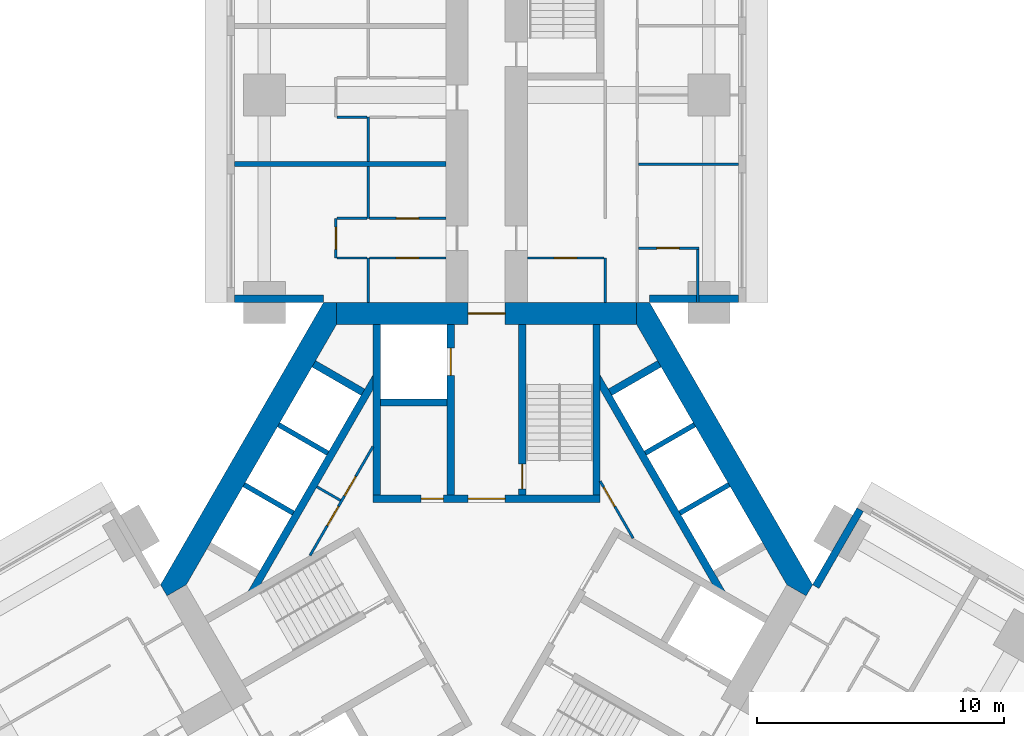
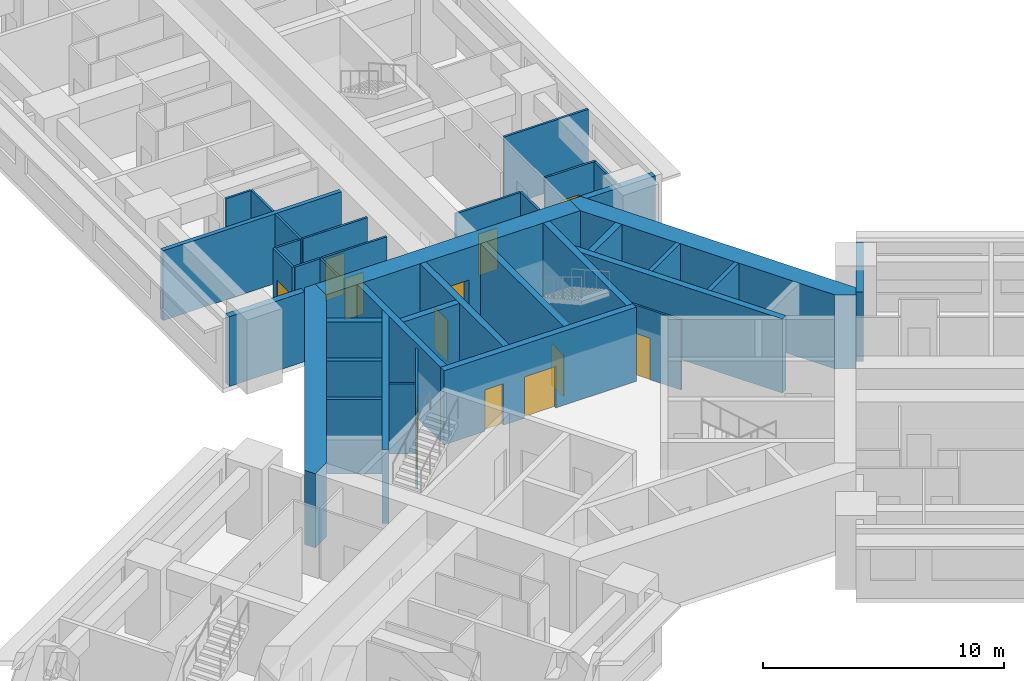
# One storey, part 8 of 17: 38 walls, 13 doors, 13 openings.
"""IFC4 building model written with IfcOpenShell, lengths in metres."""

from ifc_helpers import new_model, si_unit, direction, frame, frame_2d, origin, place, context, subcontext, project, spatial, polyline, rectangle, outline, extrude, material, layer, layer_set, type_object, element, fill, save


model = new_model("IFC4")

# Units and contexts
model_context = context("Model", 3, precision=1e-05, world=origin(), true_north=direction((0.0, 1.0)))
body_context = subcontext(model_context, "Body", "Model", "MODEL_VIEW")
ifc_project = project(units=[si_unit("LENGTHUNIT", "METRE"), si_unit("AREAUNIT", "SQUARE_METRE"), si_unit("VOLUMEUNIT", "CUBIC_METRE"), si_unit("PLANEANGLEUNIT", "RADIAN"), si_unit("MASSUNIT", "GRAM", prefix="KILO")], contexts=[model_context])

# Site, building, storey
site_placement = place(None, origin())
site = spatial("IfcSite", under=ifc_project, at=site_placement, CompositionType="ELEMENT")
building_placement = place(site_placement, origin())
building = spatial("IfcBuilding", under=site, at=building_placement, Name="Impinga Residences", CompositionType="ELEMENT")
storey_placement = place(building_placement, frame((0.0, 0.0, 33.5)))
storey = spatial("IfcBuildingStorey", under=building, at=storey_placement, Name="L07", CompositionType="ELEMENT", Elevation=33.5)

# Wall, opening, door
ifc_material_1 = material(Name="Concrete blockwork", Category="masonry")
ifc_layer_1 = layer(ifc_material_1, 0.10009765625)
ifc_layer_set_1 = layer_set([ifc_layer_1], Name="CP1 core room partition, blockwork 100")
wall_type_1 = type_object("IfcWallType", Name="CP1 core room partition, blockwork 100", PredefinedType="PARTITIONING", material=ifc_layer_set_1)
wall_1_placement = place(storey_placement, frame((4.60009765625, 4.195556640625, 0.0), z_axis=(0.0, 0.0, 1.0), x_axis=(0.500018294232, -0.866014841347, 0.0)))
wall_1 = element("IfcWall", 1, at=wall_1_placement, inside=storey, type_object=wall_type_1, Name="Core room partition, blockwork L07:CORE:mid:FP", PredefinedType="PARTITIONING", context=body_context, shape_type="SweptSolid", body=[
    extrude(rectangle(XDim=2.6669921875, YDim=0.10009765625, at=frame_2d((1.33349609375, 0.0))), origin(), (0.0, 0.0, 1.0), 3.530029296875),
])
opening_1_placement = place(wall_1_placement, frame((0.283447265625, 0.0, 0.0)))
opening_1 = element("IfcOpeningElement", 2, at=opening_1_placement, cuts=wall_1, Name="Opening D6", PredefinedType="OPENING", context=body_context, shape_type="SweptSolid", body=[
    extrude(rectangle(XDim=0.89990234375, YDim=2.10009765625, at=frame_2d((0.449951171875, 1.050048828125))), frame((0.0, 0.06005859375, 0.0), z_axis=(0.0, -1.0, 0.0), x_axis=(1.0, 0.0, 0.0)), (0.0, 0.0, 1.0), 0.1201171875),
])
ifc_material_2 = material(Name="Timber door set", Category="wood")
door_type_1 = type_object("IfcDoorType", Name="D6 riser and store door 900x2100", OperationType="SINGLE_SWING_LEFT", PredefinedType="DOOR", material=ifc_material_2)
door_1_placement = place(opening_1_placement, origin())
door_1 = element("IfcDoor", 3, at=door_1_placement, inside=storey, type_object=door_type_1, Name="Refuse and recycling room door", OperationType="SINGLE_SWING_LEFT", OverallHeight=2.10009765625, OverallWidth=0.89990234375, PredefinedType="DOOR", context=body_context, shape_type="SweptSolid", body=[
    extrude(rectangle(XDim=0.89990234375, YDim=2.10009765625, at=frame_2d((0.449951171875, 1.050048828125))), frame((0.0, 0.02490234375, 0.0), z_axis=(0.0, -1.0, 0.0), x_axis=(1.0, 0.0, 0.0)), (0.0, 0.0, 1.0), 0.050048828125),
])
fill(opening_1, door_1)

# Wall, openings, doors
wall_2_placement = place(storey_placement, frame((-7.14599609375, 1.185791015625, 0.0), z_axis=(0.0, 0.0, 1.0), x_axis=(0.499975622669, 0.866039477586, 0.0)))
wall_2 = element("IfcWall", 4, at=wall_2_placement, inside=storey, type_object=wall_type_1, Name="Core room partition, blockwork L07:CORE:high:FP", PredefinedType="PARTITIONING", context=body_context, shape_type="SweptSolid", body=[
    extrude(rectangle(XDim=5.092041015625, YDim=0.10009765625, at=frame_2d((2.5458984375, 0.0))), origin(), (0.0, 0.0, 1.0), 3.530029296875),
])
opening_2_placement = place(wall_2_placement, frame((1.39599609375, 0.0, 0.0)))
opening_2 = element("IfcOpeningElement", 5, at=opening_2_placement, cuts=wall_2, Name="Opening D6", PredefinedType="OPENING", context=body_context, shape_type="SweptSolid", body=[
    extrude(rectangle(XDim=0.89990234375, YDim=2.10009765625, at=frame_2d((0.449951171875, 1.050048828125))), frame((0.0, 0.06005859375, 0.0), z_axis=(0.0, -1.0, 0.0), x_axis=(1.0, 0.0, 0.0)), (0.0, 0.0, 1.0), 0.1201171875),
])
opening_3_placement = place(wall_2_placement, frame((2.7958984375, 0.0, 0.0)))
opening_3 = element("IfcOpeningElement", 6, at=opening_3_placement, cuts=wall_2, Name="Opening D6", PredefinedType="OPENING", context=body_context, shape_type="SweptSolid", body=[
    extrude(rectangle(XDim=0.89990234375, YDim=2.10009765625, at=frame_2d((0.449951171875, 1.050048828125))), frame((0.0, 0.06005859375, 0.0), z_axis=(0.0, -1.0, 0.0), x_axis=(1.0, 0.0, 0.0)), (0.0, 0.0, 1.0), 0.1201171875),
])
door_2_placement = place(opening_2_placement, origin())
door_2 = element("IfcDoor", 7, at=door_2_placement, inside=storey, type_object=door_type_1, Name="Housekeeping store door", OperationType="SINGLE_SWING_LEFT", OverallHeight=2.10009765625, OverallWidth=0.89990234375, PredefinedType="DOOR", context=body_context, shape_type="SweptSolid", body=[
    extrude(rectangle(XDim=0.89990234375, YDim=2.10009765625, at=frame_2d((0.449951171875, 1.050048828125))), frame((0.0, 0.02490234375, 0.0), z_axis=(0.0, -1.0, 0.0), x_axis=(1.0, 0.0, 0.0)), (0.0, 0.0, 1.0), 0.050048828125),
])
fill(opening_2, door_2)
door_3_placement = place(opening_3_placement, origin())
door_3 = element("IfcDoor", 8, at=door_3_placement, inside=storey, type_object=door_type_1, Name="Linen store door", OperationType="SINGLE_SWING_RIGHT", OverallHeight=2.10009765625, OverallWidth=0.89990234375, PredefinedType="DOOR", context=body_context, shape_type="SweptSolid", body=[
    extrude(rectangle(XDim=0.89990234375, YDim=2.10009765625, at=frame_2d((0.449951171875, 1.050048828125))), frame((0.0, 0.02490234375, 0.0), z_axis=(0.0, -1.0, 0.0), x_axis=(1.0, 0.0, 0.0)), (0.0, 0.0, 1.0), 0.050048828125),
])
fill(opening_3, door_3)

# Walls
wall_3_placement = place(storey_placement, frame((-5.916259765625, 3.415771484375, 0.0), z_axis=(0.0, 0.0, 1.0), x_axis=(-0.866008176907, 0.50002983664, 0.0)))
element("IfcWall", 9, at=wall_3_placement, inside=storey, type_object=wall_type_1, Name="Core room partition, blockwork L07:CORE:high:FS", PredefinedType="PARTITIONING", context=body_context, shape_type="SweptSolid", body=[
    extrude(rectangle(XDim=1.10009765625, YDim=0.10009765625, at=frame_2d((0.550048828125, 0.0))), origin(), (0.0, 0.0, 1.0), 3.530029296875),
])
ifc_material_3 = material(Name="Terracotta rainscreen on blockwork", Category="masonry")
ifc_layer_2 = layer(ifc_material_3, 0.300048828125)
ifc_layer_set_2 = layer_set([ifc_layer_2], Name="EW1 external wall, terracotta rainscreen on blockwork 300")
wall_type_2 = type_object("IfcWallType", Name="EW1 external wall, terracotta rainscreen on blockwork 300", PredefinedType="SOLIDWALL", material=ifc_layer_set_2)
for number, where, z_axis, x_axis, name in (
    (10, (-6.60009765625, 11.58154296875, 0.0), (0.0, 0.0, 1.0), (-1.0, 0.0, 0.0), "External wall EW1 L07"),
    (11, (10.199951171875, 11.58154296875, 0.0), (0.0, 0.0, 1.0), (-1.0, 0.0, 0.0), "External wall EW1 L07"),
):
    element("IfcWall", number, at=place(storey_placement, frame(where, z_axis=z_axis, x_axis=x_axis)), inside=storey, type_object=wall_type_2, Name=name, PredefinedType="SOLIDWALL", context=body_context, shape_type="SweptSolid", body=[
        extrude(rectangle(XDim=3.599853515625, YDim=0.300048828125, at=frame_2d((1.7998046875, 0.0))), origin(), (0.0, 0.0, 1.0), 3.530029296875),
    ])
wall_4_placement = place(storey_placement, frame((13.329833984375, -0.074951171875, 0.0), z_axis=(0.0, 0.0, 1.0), x_axis=(0.500012057535, 0.866018442252, 0.0)))
element("IfcWall", 12, at=wall_4_placement, inside=storey, type_object=wall_type_2, Name="External wall EW1 L07", PredefinedType="SOLIDWALL", context=body_context, shape_type="SweptSolid", body=[
    extrude(rectangle(XDim=3.60009765625, YDim=0.300048828125, at=frame_2d((1.800048828125, 0.0))), origin(), (0.0, 0.0, 1.0), 3.530029296875),
])
ifc_material_4 = material(Name="Gypsum board on steel studs", Category="steel")
ifc_layer_3 = layer(ifc_material_4, 0.10009765625)
ifc_layer_set_3 = layer_set([ifc_layer_3], Name="Gypsum board on steel studs")
wall_type_3 = type_object("IfcWallType", Name="IP1 partition 100", PredefinedType="PARTITIONING", material=ifc_layer_set_3)
wall_5_placement = place(storey_placement, frame((-4.800048828125, 11.431640625, 0.0), z_axis=(0.0, 0.0, 1.0), x_axis=(0.0, 1.0, 0.0)))
element("IfcWall", 13, at=wall_5_placement, inside=storey, type_object=wall_type_3, Name="Partition L07-NA1:DIV0", PredefinedType="PARTITIONING", context=body_context, shape_type="SweptSolid", body=[
    extrude(rectangle(XDim=1.7998046875, YDim=0.10009765625, at=frame_2d((0.89990234375, 0.0))), origin(), (0.0, 0.0, 1.0), 3.530029296875),
])
wall_6_placement = place(storey_placement, frame((-4.800048828125, 14.83154296875, 0.0), z_axis=(0.0, 0.0, 1.0), x_axis=(0.0, 1.0, 0.0)))
element("IfcWall", 14, at=wall_6_placement, inside=storey, type_object=wall_type_3, Name="Partition L07-NA1:DIV1", PredefinedType="PARTITIONING", context=body_context, shape_type="SweptSolid", body=[
    extrude(rectangle(XDim=2.10009765625, YDim=0.10009765625, at=frame_2d((1.050048828125, 0.0))), origin(), (0.0, 0.0, 1.0), 3.530029296875),
])

# Wall, opening, door
wall_7_placement = place(storey_placement, frame((-6.10009765625, 13.2314453125, 0.0), z_axis=(0.0, 0.0, 1.0), x_axis=(0.0, 1.0, 0.0)))
wall_7 = element("IfcWall", 15, at=wall_7_placement, inside=storey, type_object=wall_type_3, Name="Partition L07-NA1:STRIP", PredefinedType="PARTITIONING", context=body_context, shape_type="SweptSolid", body=[
    extrude(rectangle(XDim=1.60009765625, YDim=0.10009765625, at=frame_2d((0.800048828125, 0.0))), origin(), (0.0, 0.0, 1.0), 3.530029296875),
])
opening_4_placement = place(wall_7_placement, frame((0.35009765625, 0.0, 0.0)))
opening_4 = element("IfcOpeningElement", 16, at=opening_4_placement, cuts=wall_7, Name="Opening D2", PredefinedType="OPENING", context=body_context, shape_type="SweptSolid", body=[
    extrude(rectangle(XDim=0.89990234375, YDim=2.10009765625, at=frame_2d((0.449951171875, 1.050048828125))), frame((0.0, 0.06005859375, 0.0), z_axis=(0.0, -1.0, 0.0), x_axis=(1.0, 0.0, 0.0)), (0.0, 0.0, 1.0), 0.1201171875),
])
door_type_2 = type_object("IfcDoorType", Name="D2 internal door 900x2100", OperationType="SINGLE_SWING_LEFT", PredefinedType="DOOR", material=ifc_material_2)
door_4_placement = place(opening_4_placement, origin())
door_4 = element("IfcDoor", 17, at=door_4_placement, inside=storey, type_object=door_type_2, Name="Apartment L07-NA1 room door", OperationType="SINGLE_SWING_LEFT", OverallHeight=2.10009765625, OverallWidth=0.89990234375, PredefinedType="DOOR", context=body_context, shape_type="SweptSolid", body=[
    extrude(rectangle(XDim=0.89990234375, YDim=2.10009765625, at=frame_2d((0.449951171875, 1.050048828125))), frame((0.0, 0.02490234375, 0.0), z_axis=(0.0, -1.0, 0.0), x_axis=(1.0, 0.0, 0.0)), (0.0, 0.0, 1.0), 0.050048828125),
])
fill(opening_4, door_4)

# Walls
for number, where, z_axis, x_axis, name in (
    (18, (-4.85009765625, 13.2314453125, 0.0), (0.0, 0.0, 1.0), (-1.0, 0.0, 0.0), "Partition L07-NA1:SE0"),
    (19, (-4.85009765625, 14.83154296875, 0.0), (0.0, 0.0, 1.0), (-1.0, 0.0, 0.0), "Partition L07-NA1:SE1"),
):
    element("IfcWall", number, at=place(storey_placement, frame(where, z_axis=z_axis, x_axis=x_axis)), inside=storey, type_object=wall_type_3, Name=name, PredefinedType="PARTITIONING", context=body_context, shape_type="SweptSolid", body=[
        extrude(rectangle(XDim=1.199951171875, YDim=0.10009765625, at=frame_2d((0.60009765625, 0.0))), origin(), (0.0, 0.0, 1.0), 3.530029296875),
    ])

# Wall, opening, door
wall_8_placement = place(storey_placement, frame((-1.64990234375, 13.2314453125, 0.0), z_axis=(0.0, 0.0, 1.0), x_axis=(-1.0, 0.0, 0.0)))
wall_8 = element("IfcWall", 20, at=wall_8_placement, inside=storey, type_object=wall_type_3, Name="Partition L07-NA1:IB1", PredefinedType="PARTITIONING", context=body_context, shape_type="SweptSolid", body=[
    extrude(rectangle(XDim=3.10009765625, YDim=0.10009765625, at=frame_2d((1.550048828125, 0.0))), origin(), (0.0, 0.0, 1.0), 3.530029296875),
])
opening_5_placement = place(wall_8_placement, frame((1.10009765625, 0.0, 0.0)))
opening_5 = element("IfcOpeningElement", 21, at=opening_5_placement, cuts=wall_8, Name="Opening D2", PredefinedType="OPENING", context=body_context, shape_type="SweptSolid", body=[
    extrude(rectangle(XDim=0.89990234375, YDim=2.10009765625, at=frame_2d((0.449951171875, 1.050048828125))), frame((0.0, 0.06005859375, 0.0), z_axis=(0.0, -1.0, 0.0), x_axis=(1.0, 0.0, 0.0)), (0.0, 0.0, 1.0), 0.1201171875),
])
door_5_placement = place(opening_5_placement, origin())
door_5 = element("IfcDoor", 22, at=door_5_placement, inside=storey, type_object=door_type_2, Name="Apartment L07-NA1 bathroom door", OperationType="SINGLE_SWING_LEFT", OverallHeight=2.10009765625, OverallWidth=0.89990234375, PredefinedType="DOOR", context=body_context, shape_type="SweptSolid", body=[
    extrude(rectangle(XDim=0.89990234375, YDim=2.10009765625, at=frame_2d((0.449951171875, 1.050048828125))), frame((0.0, 0.02490234375, 0.0), z_axis=(0.0, -1.0, 0.0), x_axis=(1.0, 0.0, 0.0)), (0.0, 0.0, 1.0), 0.050048828125),
])
fill(opening_5, door_5)

wall_9_placement = place(storey_placement, frame((-1.64990234375, 14.83154296875, 0.0), z_axis=(0.0, 0.0, 1.0), x_axis=(-1.0, 0.0, 0.0)))
wall_9 = element("IfcWall", 23, at=wall_9_placement, inside=storey, type_object=wall_type_3, Name="Partition L07-NA1:IB2", PredefinedType="PARTITIONING", context=body_context, shape_type="SweptSolid", body=[
    extrude(rectangle(XDim=3.10009765625, YDim=0.10009765625, at=frame_2d((1.550048828125, 0.0))), origin(), (0.0, 0.0, 1.0), 3.530029296875),
])
opening_6_placement = place(wall_9_placement, frame((1.10009765625, 0.0, 0.0)))
opening_6 = element("IfcOpeningElement", 24, at=opening_6_placement, cuts=wall_9, Name="Opening D2", PredefinedType="OPENING", context=body_context, shape_type="SweptSolid", body=[
    extrude(rectangle(XDim=0.89990234375, YDim=2.10009765625, at=frame_2d((0.449951171875, 1.050048828125))), frame((0.0, 0.06005859375, 0.0), z_axis=(0.0, -1.0, 0.0), x_axis=(1.0, 0.0, 0.0)), (0.0, 0.0, 1.0), 0.1201171875),
])
door_6_placement = place(opening_6_placement, origin())
door_6 = element("IfcDoor", 25, at=door_6_placement, inside=storey, type_object=door_type_2, Name="Apartment L07-NA1 WC door", OperationType="SINGLE_SWING_LEFT", OverallHeight=2.10009765625, OverallWidth=0.89990234375, PredefinedType="DOOR", context=body_context, shape_type="SweptSolid", body=[
    extrude(rectangle(XDim=0.89990234375, YDim=2.10009765625, at=frame_2d((0.449951171875, 1.050048828125))), frame((0.0, 0.02490234375, 0.0), z_axis=(0.0, -1.0, 0.0), x_axis=(1.0, 0.0, 0.0)), (0.0, 0.0, 1.0), 0.050048828125),
])
fill(opening_6, door_6)

# Walls
wall_10_placement = place(storey_placement, frame((-4.800048828125, 17.131591796875, 0.0), z_axis=(0.0, 0.0, 1.0), x_axis=(0.0, 1.0, 0.0)))
element("IfcWall", 26, at=wall_10_placement, inside=storey, type_object=wall_type_3, Name="Partition L07-NA2:DIV0", PredefinedType="PARTITIONING", context=body_context, shape_type="SweptSolid", body=[
    extrude(rectangle(XDim=1.800048828125, YDim=0.10009765625, at=frame_2d((0.89990234375, 0.0))), origin(), (0.0, 0.0, 1.0), 3.530029296875),
])
wall_11_placement = place(storey_placement, frame((-4.85009765625, 18.931640625, 0.0), z_axis=(0.0, 0.0, 1.0), x_axis=(-1.0, 0.0, 0.0)))
element("IfcWall", 27, at=wall_11_placement, inside=storey, type_object=wall_type_3, Name="Partition L07-NA2:SE0", PredefinedType="PARTITIONING", context=body_context, shape_type="SweptSolid", body=[
    extrude(rectangle(XDim=1.199951171875, YDim=0.10009765625, at=frame_2d((0.60009765625, 0.0))), origin(), (0.0, 0.0, 1.0), 3.530029296875),
])
wall_12_placement = place(storey_placement, frame((4.800048828125, 11.431640625, 0.0), z_axis=(0.0, 0.0, 1.0), x_axis=(0.0, 1.0, 0.0)))
element("IfcWall", 28, at=wall_12_placement, inside=storey, type_object=wall_type_3, Name="Partition L07-NF1:DIV0", PredefinedType="PARTITIONING", context=body_context, shape_type="SweptSolid", body=[
    extrude(rectangle(XDim=1.7998046875, YDim=0.10009765625, at=frame_2d((0.89990234375, 0.0))), origin(), (0.0, 0.0, 1.0), 3.530029296875),
])

# Wall, opening, door
wall_13_placement = place(storey_placement, frame((1.64990234375, 13.2314453125, 0.0), z_axis=(0.0, 0.0, 1.0), x_axis=(1.0, 0.0, 0.0)))
wall_13 = element("IfcWall", 29, at=wall_13_placement, inside=storey, type_object=wall_type_3, Name="Partition L07-NF1:IB1", PredefinedType="PARTITIONING", context=body_context, shape_type="SweptSolid", body=[
    extrude(rectangle(XDim=3.10009765625, YDim=0.10009765625, at=frame_2d((1.550048828125, 0.0))), origin(), (0.0, 0.0, 1.0), 3.530029296875),
])
opening_7_placement = place(wall_13_placement, frame((1.10009765625, 0.0, 0.0)))
opening_7 = element("IfcOpeningElement", 30, at=opening_7_placement, cuts=wall_13, Name="Opening D2", PredefinedType="OPENING", context=body_context, shape_type="SweptSolid", body=[
    extrude(rectangle(XDim=0.89990234375, YDim=2.10009765625, at=frame_2d((0.449951171875, 1.050048828125))), frame((0.0, 0.06005859375, 0.0), z_axis=(0.0, -1.0, 0.0), x_axis=(1.0, 0.0, 0.0)), (0.0, 0.0, 1.0), 0.1201171875),
])
door_7_placement = place(opening_7_placement, origin())
door_7 = element("IfcDoor", 31, at=door_7_placement, inside=storey, type_object=door_type_2, Name="Apartment L07-NF1 bathroom door", OperationType="SINGLE_SWING_LEFT", OverallHeight=2.10009765625, OverallWidth=0.89990234375, PredefinedType="DOOR", context=body_context, shape_type="SweptSolid", body=[
    extrude(rectangle(XDim=0.89990234375, YDim=2.10009765625, at=frame_2d((0.449951171875, 1.050048828125))), frame((0.0, 0.02490234375, 0.0), z_axis=(0.0, -1.0, 0.0), x_axis=(1.0, 0.0, 0.0)), (0.0, 0.0, 1.0), 0.050048828125),
])
fill(opening_7, door_7)

# Wall
wall_14_placement = place(storey_placement, frame((6.14990234375, 17.031494140625, 0.0), z_axis=(0.0, 0.0, 1.0), x_axis=(1.0, 0.0, 0.0)))
element("IfcWall", 32, at=wall_14_placement, inside=storey, type_object=wall_type_3, Name="Partition L07-NF1:OB1", PredefinedType="PARTITIONING", context=body_context, shape_type="SweptSolid", body=[
    extrude(rectangle(XDim=4.050048828125, YDim=0.10009765625, at=frame_2d((2.02490234375, 0.0))), origin(), (0.0, 0.0, 1.0), 3.530029296875),
])

# Wall, opening, door
wall_15_placement = place(storey_placement, frame((6.14990234375, 13.631591796875, 0.0), z_axis=(0.0, 0.0, 1.0), x_axis=(1.0, 0.0, 0.0)))
wall_15 = element("IfcWall", 33, at=wall_15_placement, inside=storey, type_object=wall_type_3, Name="Partition L07-NF1:EN1", PredefinedType="PARTITIONING", context=body_context, shape_type="SweptSolid", body=[
    extrude(rectangle(XDim=2.4501953125, YDim=0.10009765625, at=frame_2d((1.22509765625, 0.0))), origin(), (0.0, 0.0, 1.0), 3.530029296875),
])
opening_8_placement = place(wall_15_placement, frame((0.75, 0.0, 0.0)))
opening_8 = element("IfcOpeningElement", 34, at=opening_8_placement, cuts=wall_15, Name="Opening D2", PredefinedType="OPENING", context=body_context, shape_type="SweptSolid", body=[
    extrude(rectangle(XDim=0.89990234375, YDim=2.10009765625, at=frame_2d((0.449951171875, 1.050048828125))), frame((0.0, 0.06005859375, 0.0), z_axis=(0.0, -1.0, 0.0), x_axis=(1.0, 0.0, 0.0)), (0.0, 0.0, 1.0), 0.1201171875),
])
door_8_placement = place(opening_8_placement, origin())
door_8 = element("IfcDoor", 35, at=door_8_placement, inside=storey, type_object=door_type_2, Name="Apartment L07-NF1 en-suite door", OperationType="SINGLE_SWING_LEFT", OverallHeight=2.10009765625, OverallWidth=0.89990234375, PredefinedType="DOOR", context=body_context, shape_type="SweptSolid", body=[
    extrude(rectangle(XDim=0.89990234375, YDim=2.10009765625, at=frame_2d((0.449951171875, 1.050048828125))), frame((0.0, 0.02490234375, 0.0), z_axis=(0.0, -1.0, 0.0), x_axis=(1.0, 0.0, 0.0)), (0.0, 0.0, 1.0), 0.050048828125),
])
fill(opening_8, door_8)

# Walls
wall_16_placement = place(storey_placement, frame((8.550048828125, 11.431640625, 0.0), z_axis=(0.0, 0.0, 1.0), x_axis=(0.0, 1.0, 0.0)))
element("IfcWall", 36, at=wall_16_placement, inside=storey, type_object=wall_type_3, Name="Partition L07-NF1:EN2", PredefinedType="PARTITIONING", context=body_context, shape_type="SweptSolid", body=[
    extrude(rectangle(XDim=2.14990234375, YDim=0.10009765625, at=frame_2d((1.074951171875, 0.0))), origin(), (0.0, 0.0, 1.0), 3.530029296875),
])
ifc_layer_4 = layer(ifc_material_1, 0.199951171875)
ifc_layer_set_4 = layer_set([ifc_layer_4], Name="PW1 party wall between apartments 200")
wall_type_4 = type_object("IfcWallType", Name="PW1 party wall between apartments 200", PredefinedType="SOLIDWALL", material=ifc_layer_set_4)
wall_17_placement = place(storey_placement, frame((-1.64990234375, 17.031494140625, 0.0), z_axis=(0.0, 0.0, 1.0), x_axis=(-1.0, 0.0, 0.0)))
element("IfcWall", 37, at=wall_17_placement, inside=storey, type_object=wall_type_4, Name="Party wall between apartments L07-NA1:PARTY", PredefinedType="SOLIDWALL", context=body_context, shape_type="SweptSolid", body=[
    extrude(rectangle(XDim=8.550048828125, YDim=0.199951171875, at=frame_2d((4.27490234375, 0.0))), origin(), (0.0, 0.0, 1.0), 3.530029296875),
])

# Wall, opening, door
ifc_material_5 = material(Name="Concrete C70/85", Category="concrete")
ifc_layer_5 = layer(ifc_material_5, 0.89990234375)
ifc_layer_set_5 = layer_set([ifc_layer_5], Name="Concrete C70/85")
wall_type_5 = type_object("IfcWallType", Name="SW1 core wall 900", PredefinedType="SHEAR", material=ifc_layer_set_5)
wall_18_placement = place(storey_placement, frame((-6.080322265625, 10.9814453125, 0.0), z_axis=(0.0, 0.0, 1.0), x_axis=(1.0, 0.0, 0.0)))
wall_18 = element("IfcWall", 38, at=wall_18_placement, inside=storey, type_object=wall_type_5, Name="Core wall SW1 N:FACE L07", PredefinedType="SHEAR", context=body_context, shape_type="SweptSolid", body=[
    extrude(rectangle(XDim=12.16064453125, YDim=0.89990234375, at=frame_2d((6.080322265625, 0.0))), origin(), (0.0, 0.0, 1.0), 3.75),
])
opening_9_placement = place(wall_18_placement, frame((5.330322265625, 0.0, 0.0)))
opening_9 = element("IfcOpeningElement", 39, at=opening_9_placement, cuts=wall_18, Name="Opening D4", PredefinedType="OPENING", context=body_context, shape_type="SweptSolid", body=[
    extrude(rectangle(XDim=1.5, YDim=2.10009765625, at=frame_2d((0.75, 1.050048828125))), frame((0.0, 0.4599609375, 0.0), z_axis=(0.0, -1.0, 0.0), x_axis=(1.0, 0.0, 0.0)), (0.0, 0.0, 1.0), 0.919921875),
])
door_type_3 = type_object("IfcDoorType", Name="D4 lobby door pair 1500x2100", OperationType="DOUBLE_DOOR_DOUBLE_SWING", PredefinedType="DOOR", material=ifc_material_2)
door_9_placement = place(opening_9_placement, origin())
door_9 = element("IfcDoor", 40, at=door_9_placement, inside=storey, type_object=door_type_3, Name="Lobby door N", OperationType="DOUBLE_DOOR_DOUBLE_SWING", OverallHeight=2.10009765625, OverallWidth=1.5, PredefinedType="DOOR", context=body_context, shape_type="SweptSolid", body=[
    extrude(rectangle(XDim=1.5, YDim=2.10009765625, at=frame_2d((0.75, 1.050048828125))), frame((0.0, 0.02490234375, 0.0), z_axis=(0.0, -1.0, 0.0), x_axis=(1.0, 0.0, 0.0)), (0.0, 0.0, 1.0), 0.050048828125),
])
fill(opening_9, door_9)

# Walls
wall_19_placement = place(storey_placement, origin())
element("IfcWall", 41, at=wall_19_placement, inside=storey, type_object=wall_type_5, Name="Core wall SW1 W:EXPOSED L07", PredefinedType="SHEAR", context=body_context, shape_type="SweptSolid", body=[
    extrude(outline(polyline([(13.199951171875, 0.0), (6.60009765625, 11.431640625), (6.080322265625, 11.431640625), (6.080322265625, 10.531494140625), (12.160888671875, 0.0), (12.940185546875, -0.449951171875), (13.199951171875, 0.0)])), origin(), (0.0, 0.0, 1.0), 3.75),
])
wall_20_placement = place(storey_placement, origin())
element("IfcWall", 42, at=wall_20_placement, inside=storey, type_object=wall_type_5, Name="Core wall SW1 E:EXPOSED L07", PredefinedType="SHEAR", context=body_context, shape_type="SweptSolid", body=[
    extrude(outline(polyline([(-6.60009765625, 11.431640625), (-13.199951171875, 0.0), (-12.940185546875, -0.449951171875), (-12.160888671875, 0.0), (-6.080322265625, 10.531494140625), (-6.080322265625, 11.431640625), (-6.60009765625, 11.431640625)])), origin(), (0.0, 0.0, 1.0), 3.75),
])

# Wall, openings, doors
ifc_layer_6 = layer(ifc_material_5, 0.300048828125)
ifc_layer_set_6 = layer_set([ifc_layer_6], Name="Concrete C70/85")
wall_type_6 = type_object("IfcWallType", Name="SW5 core inner wall, stairs, shafts and lobbies 300", PredefinedType="SHEAR", material=ifc_layer_set_6)
wall_21_placement = place(storey_placement, frame((-4.60009765625, 3.47998046875, 0.0), z_axis=(0.0, 0.0, 1.0), x_axis=(1.0, 0.0, 0.0)))
wall_21 = element("IfcWall", 43, at=wall_21_placement, inside=storey, type_object=wall_type_6, Name="Core wall SW5 N:ZONE L07", PredefinedType="SHEAR", context=body_context, shape_type="SweptSolid", body=[
    extrude(rectangle(XDim=9.2001953125, YDim=0.300048828125, at=frame_2d((4.60009765625, 0.0))), origin(), (0.0, 0.0, 1.0), 3.75),
])
opening_10_placement = place(wall_21_placement, frame((3.85009765625, 0.0, 0.0)))
opening_10 = element("IfcOpeningElement", 44, at=opening_10_placement, cuts=wall_21, Name="Opening D4", PredefinedType="OPENING", context=body_context, shape_type="SweptSolid", body=[
    extrude(rectangle(XDim=1.5, YDim=2.10009765625, at=frame_2d((0.75, 1.050048828125))), frame((0.0, 0.159912109375, 0.0), z_axis=(0.0, -1.0, 0.0), x_axis=(1.0, 0.0, 0.0)), (0.0, 0.0, 1.0), 0.320068359375),
])
opening_11_placement = place(wall_21_placement, frame((1.949951171875, 0.0, 0.0)))
opening_11 = element("IfcOpeningElement", 45, at=opening_11_placement, cuts=wall_21, Name="Opening D6", PredefinedType="OPENING", context=body_context, shape_type="SweptSolid", body=[
    extrude(rectangle(XDim=0.89990234375, YDim=2.10009765625, at=frame_2d((0.449951171875, 1.050048828125))), frame((0.0, 0.159912109375, 0.0), z_axis=(0.0, -1.0, 0.0), x_axis=(1.0, 0.0, 0.0)), (0.0, 0.0, 1.0), 0.320068359375),
])
door_10_placement = place(opening_10_placement, origin())
door_10 = element("IfcDoor", 46, at=door_10_placement, inside=storey, type_object=door_type_3, Name="Firefighting lobby door N", OperationType="DOUBLE_DOOR_DOUBLE_SWING", OverallHeight=2.10009765625, OverallWidth=1.5, PredefinedType="DOOR", context=body_context, shape_type="SweptSolid", body=[
    extrude(rectangle(XDim=1.5, YDim=2.10009765625, at=frame_2d((0.75, 1.050048828125))), frame((0.0, 0.02490234375, 0.0), z_axis=(0.0, -1.0, 0.0), x_axis=(1.0, 0.0, 0.0)), (0.0, 0.0, 1.0), 0.050048828125),
])
fill(opening_10, door_10)
door_11_placement = place(opening_11_placement, origin())
door_11 = element("IfcDoor", 47, at=door_11_placement, inside=storey, type_object=door_type_1, Name="Riser door N", OperationType="SINGLE_SWING_LEFT", OverallHeight=2.10009765625, OverallWidth=0.89990234375, PredefinedType="DOOR", context=body_context, shape_type="SweptSolid", body=[
    extrude(rectangle(XDim=0.89990234375, YDim=2.10009765625, at=frame_2d((0.449951171875, 1.050048828125))), frame((0.0, 0.02490234375, 0.0), z_axis=(0.0, -1.0, 0.0), x_axis=(1.0, 0.0, 0.0)), (0.0, 0.0, 1.0), 0.050048828125),
])
fill(opening_11, door_11)

# Wall, opening, door
wall_22_placement = place(storey_placement, frame((1.449951171875, 3.6298828125, 0.0), z_axis=(0.0, 0.0, 1.0), x_axis=(0.0, 1.0, 0.0)))
wall_22 = element("IfcWall", 48, at=wall_22_placement, inside=storey, type_object=wall_type_6, Name="Core wall SW5 N:ST-IN L07", PredefinedType="SHEAR", context=body_context, shape_type="SweptSolid", body=[
    extrude(rectangle(XDim=6.901611328125, YDim=0.300048828125, at=frame_2d((3.45068359375, 0.0))), origin(), (0.0, 0.0, 1.0), 3.75),
])
opening_12_placement = place(wall_22_placement, frame((0.25, 0.0, 0.0)))
opening_12 = element("IfcOpeningElement", 49, at=opening_12_placement, cuts=wall_22, Name="Opening D5", PredefinedType="OPENING", context=body_context, shape_type="SweptSolid", body=[
    extrude(rectangle(XDim=1.0, YDim=2.10009765625, at=frame_2d((0.5, 1.050048828125))), frame((0.0, 0.159912109375, 0.0), z_axis=(0.0, -1.0, 0.0), x_axis=(1.0, 0.0, 0.0)), (0.0, 0.0, 1.0), 0.320068359375),
])
door_type_4 = type_object("IfcDoorType", Name="D5 stair door 1000x2100", OperationType="SINGLE_SWING_LEFT", PredefinedType="DOOR", material=ifc_material_2)
door_12_placement = place(opening_12_placement, origin())
door_12 = element("IfcDoor", 50, at=door_12_placement, inside=storey, type_object=door_type_4, Name="Stair door N", OperationType="SINGLE_SWING_LEFT", OverallHeight=2.10009765625, OverallWidth=1.0, PredefinedType="DOOR", context=body_context, shape_type="SweptSolid", body=[
    extrude(rectangle(XDim=1.0, YDim=2.10009765625, at=frame_2d((0.5, 1.050048828125))), frame((0.0, 0.02490234375, 0.0), z_axis=(0.0, -1.0, 0.0), x_axis=(1.0, 0.0, 0.0)), (0.0, 0.0, 1.0), 0.050048828125),
])
fill(opening_12, door_12)

# Wall
wall_23_placement = place(storey_placement, frame((4.449951171875, 3.6298828125, 0.0), z_axis=(0.0, 0.0, 1.0), x_axis=(0.0, 1.0, 0.0)))
element("IfcWall", 51, at=wall_23_placement, inside=storey, type_object=wall_type_6, Name="Core wall SW5 N:ST-OUT L07", PredefinedType="SHEAR", context=body_context, shape_type="SweptSolid", body=[
    extrude(rectangle(XDim=6.901611328125, YDim=0.300048828125, at=frame_2d((3.45068359375, 0.0))), origin(), (0.0, 0.0, 1.0), 3.75),
])

# Wall, opening, door
wall_24_placement = place(storey_placement, frame((-1.449951171875, 3.6298828125, 0.0), z_axis=(0.0, 0.0, 1.0), x_axis=(0.0, 1.0, 0.0)))
wall_24 = element("IfcWall", 52, at=wall_24_placement, inside=storey, type_object=wall_type_6, Name="Core wall SW5 N:FF-IN L07", PredefinedType="SHEAR", context=body_context, shape_type="SweptSolid", body=[
    extrude(rectangle(XDim=6.901611328125, YDim=0.300048828125, at=frame_2d((3.45068359375, 0.0))), origin(), (0.0, 0.0, 1.0), 3.75),
])
opening_13_placement = place(wall_24_placement, frame((4.85009765625, 0.0, 0.0)))
opening_13 = element("IfcOpeningElement", 53, at=opening_13_placement, cuts=wall_24, Name="Opening LD2", PredefinedType="OPENING", context=body_context, shape_type="SweptSolid", body=[
    extrude(rectangle(XDim=1.10009765625, YDim=2.10009765625, at=frame_2d((0.550048828125, 1.050048828125))), frame((0.0, 0.159912109375, 0.0), z_axis=(0.0, -1.0, 0.0), x_axis=(1.0, 0.0, 0.0)), (0.0, 0.0, 1.0), 0.320068359375),
])
ifc_material_6 = material(Name="Steel lift landing door", Category="steel")
door_type_5 = type_object("IfcDoorType", Name="LD2 firefighting lift landing door 1100x2100", OperationType="DOUBLE_DOOR_SLIDING", PredefinedType="DOOR", material=ifc_material_6)
door_13_placement = place(opening_13_placement, origin())
door_13 = element("IfcDoor", 54, at=door_13_placement, inside=storey, type_object=door_type_5, Name="Firefighting lift landing door F1", OperationType="DOUBLE_DOOR_SLIDING", OverallHeight=2.10009765625, OverallWidth=1.10009765625, PredefinedType="DOOR", context=body_context, shape_type="SweptSolid", body=[
    extrude(rectangle(XDim=1.10009765625, YDim=2.10009765625, at=frame_2d((0.550048828125, 1.050048828125))), frame((0.0, 0.02490234375, 0.0), z_axis=(0.0, -1.0, 0.0), x_axis=(1.0, 0.0, 0.0)), (0.0, 0.0, 1.0), 0.050048828125),
])
fill(opening_13, door_13)

# Walls
wall_25_placement = place(storey_placement, frame((-4.449951171875, 3.6298828125, 0.0), z_axis=(0.0, 0.0, 1.0), x_axis=(0.0, 1.0, 0.0)))
element("IfcWall", 55, at=wall_25_placement, inside=storey, type_object=wall_type_6, Name="Core wall SW5 N:FF-OUT L07", PredefinedType="SHEAR", context=body_context, shape_type="SweptSolid", body=[
    extrude(rectangle(XDim=6.901611328125, YDim=0.300048828125, at=frame_2d((3.45068359375, 0.0))), origin(), (0.0, 0.0, 1.0), 3.75),
])
wall_26_placement = place(storey_placement, frame((-4.300048828125, 7.3798828125, 0.0), z_axis=(0.0, 0.0, 1.0), x_axis=(1.0, 0.0, 0.0)))
element("IfcWall", 56, at=wall_26_placement, inside=storey, type_object=wall_type_6, Name="Core wall SW5 N:FF-RS L07", PredefinedType="SHEAR", context=body_context, shape_type="SweptSolid", body=[
    extrude(rectangle(XDim=2.699951171875, YDim=0.300048828125, at=frame_2d((1.35009765625, 0.0))), origin(), (0.0, 0.0, 1.0), 3.75),
])
wall_27_placement = place(storey_placement, frame((4.449951171875, 8.455322265625, 0.0), z_axis=(0.0, 0.0, 1.0), x_axis=(0.500002290144, -0.866024081565, 0.0)))
element("IfcWall", 57, at=wall_27_placement, inside=storey, type_object=wall_type_6, Name="Core wall SW5 W:BANK-FRONT L07", PredefinedType="SHEAR", context=body_context, shape_type="SweptSolid", body=[
    extrude(rectangle(XDim=10.1953125, YDim=0.300048828125, at=frame_2d((5.09765625, 0.0))), origin(), (0.0, 0.0, 1.0), 3.75),
])
wall_28_placement = place(storey_placement, frame((5.003662109375, 7.79638671875, 0.0), z_axis=(0.0, 0.0, 1.0), x_axis=(0.866053019151, 0.499952165731, 0.0)))
element("IfcWall", 58, at=wall_28_placement, inside=storey, type_object=wall_type_6, Name="Core wall SW5 W:BANK-L L07", PredefinedType="SHEAR", context=body_context, shape_type="SweptSolid", body=[
    extrude(rectangle(XDim=2.300048828125, YDim=0.300048828125, at=frame_2d((1.14990234375, 0.0))), origin(), (0.0, 0.0, 1.0), 3.75),
])
wall_29_placement = place(storey_placement, frame((-9.547607421875, -0.3740234375, 0.0), z_axis=(0.0, 0.0, 1.0), x_axis=(0.500002290144, 0.866024081565, 0.0)))
element("IfcWall", 59, at=wall_29_placement, inside=storey, type_object=wall_type_6, Name="Core wall SW5 E:BANK-FRONT L07", PredefinedType="SHEAR", context=body_context, shape_type="SweptSolid", body=[
    extrude(rectangle(XDim=10.1953125, YDim=0.300048828125, at=frame_2d((5.09765625, 0.0))), origin(), (0.0, 0.0, 1.0), 3.75),
])
wall_30_placement = place(storey_placement, frame((-5.003662109375, 7.79638671875, 0.0), z_axis=(0.0, 0.0, 1.0), x_axis=(-0.866053019151, 0.499952165731, 0.0)))
element("IfcWall", 60, at=wall_30_placement, inside=storey, type_object=wall_type_6, Name="Core wall SW5 E:BANK-R L07", PredefinedType="SHEAR", context=body_context, shape_type="SweptSolid", body=[
    extrude(rectangle(XDim=2.300048828125, YDim=0.300048828125, at=frame_2d((1.14990234375, 0.0))), origin(), (0.0, 0.0, 1.0), 3.75),
])
ifc_layer_7 = layer(ifc_material_5, 0.199951171875)
ifc_layer_set_7 = layer_set([ifc_layer_7], Name="Concrete C70/85")
wall_type_7 = type_object("IfcWallType", Name="SW6 lift shaft divider wall 200", PredefinedType="SHEAR", material=ifc_layer_set_7)
for number, where, z_axis, x_axis, name in (
    (61, (6.4287109375, 5.328125, 0.0), (0.0, 0.0, 1.0), (0.866007057882, 0.500031774688, 0.0), "Core wall SW6 W:BANK-D1 L07"),
    (62, (7.82861328125, 2.9033203125, 0.0), (0.0, 0.0, 1.0), (0.866053019151, 0.499952165731, 0.0), "Core wall SW6 W:BANK-D2 L07"),
    (63, (-7.82861328125, 2.9033203125, 0.0), (0.0, 0.0, 1.0), (-0.866053019151, 0.499952165731, 0.0), "Core wall SW6 E:BANK-D1 L07"),
    (64, (-6.4287109375, 5.328125, 0.0), (0.0, 0.0, 1.0), (-0.866007057882, 0.500031774688, 0.0), "Core wall SW6 E:BANK-D2 L07"),
):
    element("IfcWall", number, at=place(storey_placement, frame(where, z_axis=z_axis, x_axis=x_axis)), inside=storey, type_object=wall_type_7, Name=name, PredefinedType="SHEAR", context=body_context, shape_type="SweptSolid", body=[
        extrude(rectangle(XDim=2.300048828125, YDim=0.199951171875, at=frame_2d((1.14990234375, 0.0))), origin(), (0.0, 0.0, 1.0), 3.75),
    ])

save(model, "model.ifc")
